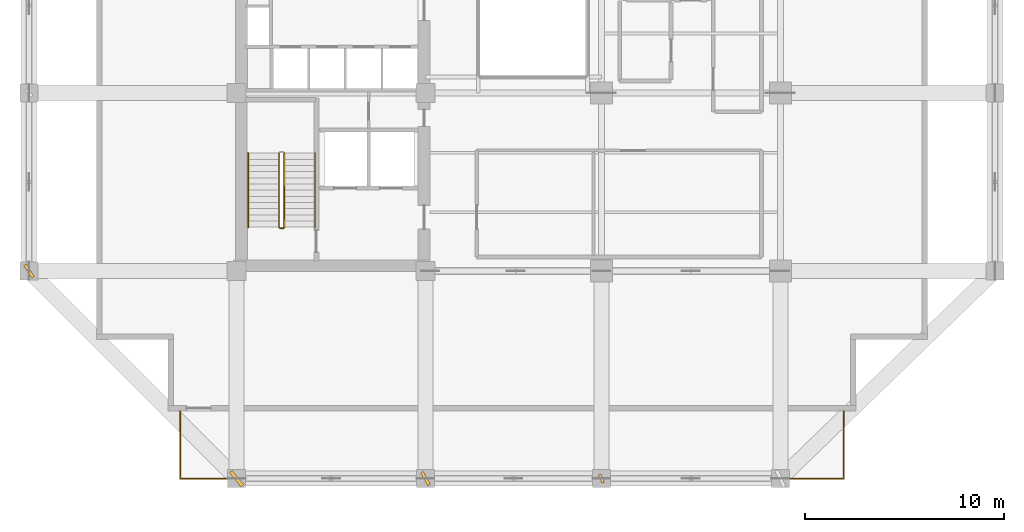
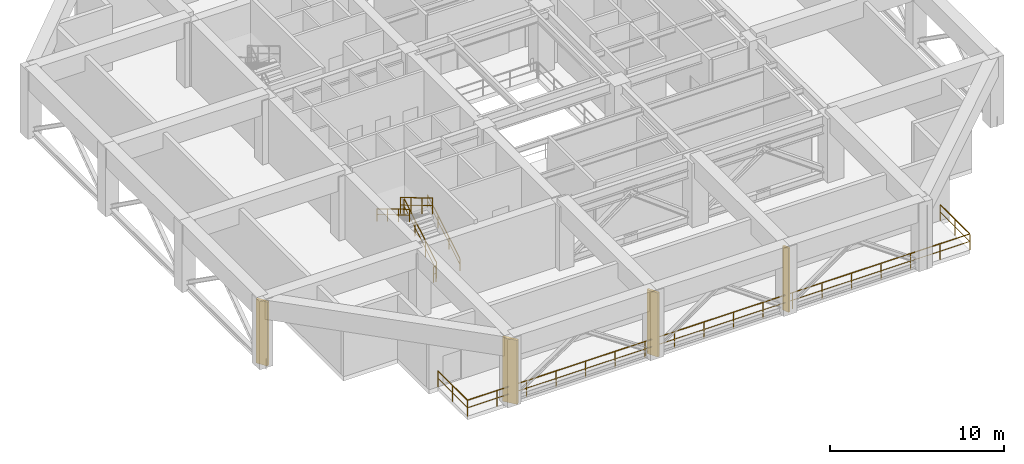
# One storey, part 7 of 10: 6 railings, 4 shading devices.
"""IFC4 building model written with IfcOpenShell, lengths in metres."""

from ifc_helpers import new_model, si_unit, direction, frame, origin, origin_2d, place, context, subcontext, project, spatial, rectangle, extrude, material, type_object, element, save


model = new_model("IFC4")

# Units and contexts
model_context = context("Model", 3, precision=1e-05, world=origin(), true_north=direction((0.0, 1.0)))
body_context = subcontext(model_context, "Body", "Model", "MODEL_VIEW")
ifc_project = project(units=[si_unit("LENGTHUNIT", "METRE"), si_unit("AREAUNIT", "SQUARE_METRE"), si_unit("VOLUMEUNIT", "CUBIC_METRE"), si_unit("PLANEANGLEUNIT", "RADIAN"), si_unit("MASSUNIT", "GRAM", prefix="KILO")], contexts=[model_context])

# Site, building, storey
site_placement = place(None, origin())
site = spatial("IfcSite", under=ifc_project, at=site_placement, CompositionType="ELEMENT")
building_placement = place(site_placement, origin())
building = spatial("IfcBuilding", under=site, at=building_placement, Name="Kundavana Baori Tower", CompositionType="ELEMENT")
storey_placement = place(building_placement, frame((0.0, 0.0, 94.0)))
storey = spatial("IfcBuildingStorey", under=building, at=storey_placement, Name="L22", CompositionType="ELEMENT", Elevation=94.0)

# Railings
ifc_material_1 = material(Name="Architectural Patinated Bronze Metalwork")
railing_type_1 = type_object("IfcRailingType", Name="RL-BAL-1150", PredefinedType="BALUSTRADE", material=ifc_material_1)
railing_1_placement = place(storey_placement, frame((46.0, 8.199951171875, 0.0)))
element("IfcRailing", 1, at=railing_1_placement, inside=storey, type_object=railing_type_1, Name="L22 Sky Terrace Guard Balustrade S", PredefinedType="BALUSTRADE", context=body_context, shape_type="SweptSolid", body=[
    extrude(rectangle(XDim=0.048095703125, YDim=0.048095703125, at=origin_2d()), frame((0.0, 0.0, 1.1259765625), z_axis=(0.0, -1.0, 0.0), x_axis=(1.0, 0.0, 0.0)), (0.0, 0.0, 1.0), 3.39990234375),
    extrude(rectangle(XDim=0.03125, YDim=0.03125, at=origin_2d()), frame((0.0, 0.0, 0.597900390625), z_axis=(0.0, -1.0, 0.0), x_axis=(1.0, 0.0, 0.0)), (0.0, 0.0, 1.0), 3.39990234375),
    extrude(rectangle(XDim=0.048095703125, YDim=0.048095703125, at=origin_2d()), frame((0.0, -3.39990234375, 1.1259765625), z_axis=(-1.0, 0.0, 0.0), x_axis=(0.0, -1.0, 0.0)), (0.0, 0.0, 1.0), 33.39990234375),
    extrude(rectangle(XDim=0.03125, YDim=0.03125, at=origin_2d()), frame((0.0, -3.39990234375, 0.597900390625), z_axis=(-1.0, 0.0, 0.0), x_axis=(0.0, -1.0, 0.0)), (0.0, 0.0, 1.0), 33.39990234375),
    extrude(rectangle(XDim=0.048095703125, YDim=0.048095703125, at=origin_2d()), frame((-33.39990234375, -3.39990234375, 1.1259765625), z_axis=(0.0, 1.0, 0.0), x_axis=(-1.0, 0.0, 0.0)), (0.0, 0.0, 1.0), 3.39990234375),
    extrude(rectangle(XDim=0.03125, YDim=0.03125, at=origin_2d()), frame((-33.39990234375, -3.39990234375, 0.597900390625), z_axis=(0.0, 1.0, 0.0), x_axis=(-1.0, 0.0, 0.0)), (0.0, 0.0, 1.0), 3.39990234375),
    extrude(rectangle(XDim=0.0419921875, YDim=0.0419921875, at=origin_2d()), origin(), (0.0, 0.0, 1.0), 1.101806640625),
    extrude(rectangle(XDim=0.0419921875, YDim=0.0419921875, at=origin_2d()), frame((0.0, -1.699951171875, 0.0)), (0.0, 0.0, 1.0), 1.101806640625),
    extrude(rectangle(XDim=0.0419921875, YDim=0.0419921875, at=origin_2d()), frame((0.0, -3.39990234375, 0.0)), (0.0, 0.0, 1.0), 1.101806640625),
    extrude(rectangle(XDim=0.0419921875, YDim=0.0419921875, at=origin_2d()), frame((-1.964599609375, -3.39990234375, 0.0)), (0.0, 0.0, 1.0), 1.101806640625),
    extrude(rectangle(XDim=0.0419921875, YDim=0.0419921875, at=origin_2d()), frame((-3.929443359375, -3.39990234375, 0.0)), (0.0, 0.0, 1.0), 1.101806640625),
    extrude(rectangle(XDim=0.0419921875, YDim=0.0419921875, at=origin_2d()), frame((-5.89404296875, -3.39990234375, 0.0)), (0.0, 0.0, 1.0), 1.101806640625),
    extrude(rectangle(XDim=0.0419921875, YDim=0.0419921875, at=origin_2d()), frame((-7.85888671875, -3.39990234375, 0.0)), (0.0, 0.0, 1.0), 1.101806640625),
    extrude(rectangle(XDim=0.0419921875, YDim=0.0419921875, at=origin_2d()), frame((-9.823486328125, -3.39990234375, 0.0)), (0.0, 0.0, 1.0), 1.101806640625),
    extrude(rectangle(XDim=0.0419921875, YDim=0.0419921875, at=origin_2d()), frame((-11.7880859375, -3.39990234375, 0.0)), (0.0, 0.0, 1.0), 1.101806640625),
    extrude(rectangle(XDim=0.0419921875, YDim=0.0419921875, at=origin_2d()), frame((-13.7529296875, -3.39990234375, 0.0)), (0.0, 0.0, 1.0), 1.101806640625),
    extrude(rectangle(XDim=0.0419921875, YDim=0.0419921875, at=origin_2d()), frame((-15.717529296875, -3.39990234375, 0.0)), (0.0, 0.0, 1.0), 1.101806640625),
    extrude(rectangle(XDim=0.0419921875, YDim=0.0419921875, at=origin_2d()), frame((-17.682373046875, -3.39990234375, 0.0)), (0.0, 0.0, 1.0), 1.101806640625),
    extrude(rectangle(XDim=0.0419921875, YDim=0.0419921875, at=origin_2d()), frame((-19.64697265625, -3.39990234375, 0.0)), (0.0, 0.0, 1.0), 1.101806640625),
    extrude(rectangle(XDim=0.0419921875, YDim=0.0419921875, at=origin_2d()), frame((-21.61181640625, -3.39990234375, 0.0)), (0.0, 0.0, 1.0), 1.101806640625),
    extrude(rectangle(XDim=0.0419921875, YDim=0.0419921875, at=origin_2d()), frame((-23.576416015625, -3.39990234375, 0.0)), (0.0, 0.0, 1.0), 1.101806640625),
    extrude(rectangle(XDim=0.0419921875, YDim=0.0419921875, at=origin_2d()), frame((-25.541015625, -3.39990234375, 0.0)), (0.0, 0.0, 1.0), 1.101806640625),
    extrude(rectangle(XDim=0.0419921875, YDim=0.0419921875, at=origin_2d()), frame((-27.505859375, -3.39990234375, 0.0)), (0.0, 0.0, 1.0), 1.101806640625),
    extrude(rectangle(XDim=0.0419921875, YDim=0.0419921875, at=origin_2d()), frame((-29.470458984375, -3.39990234375, 0.0)), (0.0, 0.0, 1.0), 1.101806640625),
    extrude(rectangle(XDim=0.0419921875, YDim=0.0419921875, at=origin_2d()), frame((-31.435302734375, -3.39990234375, 0.0)), (0.0, 0.0, 1.0), 1.101806640625),
    extrude(rectangle(XDim=0.0419921875, YDim=0.0419921875, at=origin_2d()), frame((-33.39990234375, -3.39990234375, 0.0)), (0.0, 0.0, 1.0), 1.101806640625),
    extrude(rectangle(XDim=0.0419921875, YDim=0.0419921875, at=origin_2d()), frame((-33.39990234375, -1.699951171875, 0.0)), (0.0, 0.0, 1.0), 1.101806640625),
    extrude(rectangle(XDim=0.0419921875, YDim=0.0419921875, at=origin_2d()), frame((-33.39990234375, 0.0, 0.0)), (0.0, 0.0, 1.0), 1.101806640625),
])
ifc_material_2 = material(Name="Architectural Patinated Bronze Metalwork")
railing_type_2 = type_object("IfcRailingType", Name="RL-GRD-1150", PredefinedType="GUARDRAIL", material=ifc_material_2)
railing_2_placement = place(storey_placement, frame((17.840087890625, 17.449951171875, 0.1845703125)))
element("IfcRailing", 2, at=railing_2_placement, inside=storey, type_object=railing_type_2, Name="L22 ST1 stair guard 1", PredefinedType="GUARDRAIL", context=body_context, shape_type="SweptSolid", body=[
    extrude(rectangle(XDim=0.048095703125, YDim=0.048095703125, at=origin_2d()), frame((0.0, 0.0, 1.1259765625), z_axis=(0.0, 0.859184880589, 0.511665262615), x_axis=(-1.0, 0.0, 0.0)), (0.0, 0.0, 1.0), 4.32958984375),
    extrude(rectangle(XDim=0.03125, YDim=0.03125, at=origin_2d()), frame((0.0, 0.0, 0.597900390625), z_axis=(0.0, 0.859184880589, 0.511665262615), x_axis=(-1.0, 0.0, 0.0)), (0.0, 0.0, 1.0), 4.32958984375),
    extrude(rectangle(XDim=0.0419921875, YDim=0.0419921875, at=origin_2d()), origin(), (0.0, 0.0, 1.0), 1.101806640625),
    extrude(rectangle(XDim=0.0419921875, YDim=0.0419921875, at=origin_2d()), frame((0.0, 1.239990234375, 0.738525390625)), (0.0, 0.0, 1.0), 1.101806640625),
    extrude(rectangle(XDim=0.0419921875, YDim=0.0419921875, at=origin_2d()), frame((0.0, 2.47998046875, 1.476806640625)), (0.0, 0.0, 1.0), 1.101806640625),
    extrude(rectangle(XDim=0.0419921875, YDim=0.0419921875, at=origin_2d()), frame((0.0, 3.719970703125, 2.21533203125)), (0.0, 0.0, 1.0), 1.101806640625),
])
railing_3_placement = place(storey_placement, frame((17.580078125, 21.169921875, 2.584716796875)))
element("IfcRailing", 3, at=railing_3_placement, inside=storey, type_object=railing_type_2, Name="L22 ST1 stair guard 3", PredefinedType="GUARDRAIL", context=body_context, shape_type="SweptSolid", body=[
    extrude(rectangle(XDim=0.048095703125, YDim=0.048095703125, at=origin_2d()), frame((0.0, 0.0, 1.1259765625), z_axis=(0.0, -0.859184880589, 0.511665262615), x_axis=(1.0, 0.0, 0.0)), (0.0, 0.0, 1.0), 4.32958984375),
    extrude(rectangle(XDim=0.03125, YDim=0.03125, at=origin_2d()), frame((0.0, 0.0, 0.597900390625), z_axis=(0.0, -0.859184880589, 0.511665262615), x_axis=(1.0, 0.0, 0.0)), (0.0, 0.0, 1.0), 4.32958984375),
    extrude(rectangle(XDim=0.0419921875, YDim=0.0419921875, at=origin_2d()), origin(), (0.0, 0.0, 1.0), 1.101806640625),
    extrude(rectangle(XDim=0.0419921875, YDim=0.0419921875, at=origin_2d()), frame((0.0, -1.239990234375, 0.738525390625)), (0.0, 0.0, 1.0), 1.101806640625),
    extrude(rectangle(XDim=0.0419921875, YDim=0.0419921875, at=origin_2d()), frame((0.0, -2.47998046875, 1.476806640625)), (0.0, 0.0, 1.0), 1.101806640625),
    extrude(rectangle(XDim=0.0419921875, YDim=0.0419921875, at=origin_2d()), frame((0.0, -3.719970703125, 2.21533203125)), (0.0, 0.0, 1.0), 1.101806640625),
])
railing_4_placement = place(storey_placement, frame((17.7900390625, 17.39990234375, 0.0)))
element("IfcRailing", 4, at=railing_4_placement, inside=storey, type_object=railing_type_2, Name="L22 ST1 stair guard 4", PredefinedType="GUARDRAIL", context=body_context, shape_type="SweptSolid", body=[
    extrude(rectangle(XDim=0.048095703125, YDim=0.048095703125, at=origin_2d()), frame((0.0, 0.0, 1.1259765625), z_axis=(-1.0, 0.0, 0.0), x_axis=(0.0, -1.0, 0.0)), (0.0, 0.0, 1.0), 0.16015625),
    extrude(rectangle(XDim=0.03125, YDim=0.03125, at=origin_2d()), frame((0.0, 0.0, 0.597900390625), z_axis=(-1.0, 0.0, 0.0), x_axis=(0.0, -1.0, 0.0)), (0.0, 0.0, 1.0), 0.16015625),
    extrude(rectangle(XDim=0.0419921875, YDim=0.0419921875, at=origin_2d()), origin(), (0.0, 0.0, 1.0), 1.101806640625),
    extrude(rectangle(XDim=0.0419921875, YDim=0.0419921875, at=origin_2d()), frame((-0.16015625, 0.0, 0.0)), (0.0, 0.0, 1.0), 1.101806640625),
])
ifc_material_3 = material(Name="Architectural Patinated Bronze Metalwork")
railing_type_3 = type_object("IfcRailingType", Name="RL-HND-920", PredefinedType="HANDRAIL", material=ifc_material_3)
railing_5_placement = place(storey_placement, frame((19.389892578125, 17.449951171875, 0.1845703125)))
element("IfcRailing", 5, at=railing_5_placement, inside=storey, type_object=railing_type_3, Name="L22 ST1 stair handrail 1", PredefinedType="HANDRAIL", context=body_context, shape_type="SweptSolid", body=[
    extrude(rectangle(XDim=0.048095703125, YDim=0.048095703125, at=origin_2d()), frame((0.0, 0.0, 0.8759765625), z_axis=(0.0, 0.859184880589, 0.511665262615), x_axis=(-1.0, 0.0, 0.0)), (0.0, 0.0, 1.0), 4.32958984375),
    extrude(rectangle(XDim=0.03125, YDim=0.03125, at=origin_2d()), frame((0.0, 0.0, 0.468017578125), z_axis=(0.0, 0.859184880589, 0.511665262615), x_axis=(-1.0, 0.0, 0.0)), (0.0, 0.0, 1.0), 4.32958984375),
    extrude(rectangle(XDim=0.0419921875, YDim=0.0419921875, at=origin_2d()), origin(), (0.0, 0.0, 1.0), 0.851806640625),
    extrude(rectangle(XDim=0.0419921875, YDim=0.0419921875, at=origin_2d()), frame((0.0, 1.239990234375, 0.738525390625)), (0.0, 0.0, 1.0), 0.851806640625),
    extrude(rectangle(XDim=0.0419921875, YDim=0.0419921875, at=origin_2d()), frame((0.0, 2.47998046875, 1.476806640625)), (0.0, 0.0, 1.0), 0.851806640625),
    extrude(rectangle(XDim=0.0419921875, YDim=0.0419921875, at=origin_2d()), frame((0.0, 3.719970703125, 2.21533203125)), (0.0, 0.0, 1.0), 0.851806640625),
])
railing_6_placement = place(storey_placement, frame((16.030029296875, 21.169921875, 2.584716796875)))
element("IfcRailing", 6, at=railing_6_placement, inside=storey, type_object=railing_type_3, Name="L22 ST1 stair handrail 2", PredefinedType="HANDRAIL", context=body_context, shape_type="SweptSolid", body=[
    extrude(rectangle(XDim=0.048095703125, YDim=0.048095703125, at=origin_2d()), frame((0.0, 0.0, 0.8759765625), z_axis=(0.0, -0.859184880589, 0.511665262615), x_axis=(1.0, 0.0, 0.0)), (0.0, 0.0, 1.0), 4.32958984375),
    extrude(rectangle(XDim=0.03125, YDim=0.03125, at=origin_2d()), frame((0.0, 0.0, 0.468017578125), z_axis=(0.0, -0.859184880589, 0.511665262615), x_axis=(1.0, 0.0, 0.0)), (0.0, 0.0, 1.0), 4.32958984375),
    extrude(rectangle(XDim=0.0419921875, YDim=0.0419921875, at=origin_2d()), origin(), (0.0, 0.0, 1.0), 0.851806640625),
    extrude(rectangle(XDim=0.0419921875, YDim=0.0419921875, at=origin_2d()), frame((0.0, -1.239990234375, 0.738525390625)), (0.0, 0.0, 1.0), 0.851806640625),
    extrude(rectangle(XDim=0.0419921875, YDim=0.0419921875, at=origin_2d()), frame((0.0, -2.47998046875, 1.476806640625)), (0.0, 0.0, 1.0), 0.851806640625),
    extrude(rectangle(XDim=0.0419921875, YDim=0.0419921875, at=origin_2d()), frame((0.0, -3.719970703125, 2.21533203125)), (0.0, 0.0, 1.0), 0.851806640625),
])

# Shading devices
ifc_material_4 = material(Name="Red-Buff Dholpur Sandstone Cladding on Concrete C40/50", Category="masonry")
shading_device_type_1 = type_object("IfcShadingDeviceType", Name="SHD-FIN-750", PredefinedType="JALOUSIE", material=ifc_material_4)
for number, where, z_axis, x_axis, name in (
    (7, (24.949951171875, 4.800048828125, 0.0), (0.0, 0.0, 1.0), (0.872240046001, 0.489078012338, 0.0), "L22 Sweeping Dholpur Sandstone Facade Fin 2"),
    (8, (5.0, 15.25, 0.0), (0.0, 0.0, 1.0), (0.835519779135, 0.54946037043, 0.0), "L22 Sweeping Dholpur Sandstone Facade Fin 5"),
):
    element("IfcShadingDevice", number, at=place(storey_placement, frame(where, z_axis=z_axis, x_axis=x_axis)), inside=storey, type_object=shading_device_type_1, Name=name, PredefinedType="JALOUSIE", context=body_context, shape_type="SweptSolid", body=[
        extrude(rectangle(XDim=0.159912109375, YDim=0.75, at=origin_2d()), origin(), (0.0, 0.0, 1.0), 4.5),
    ])
ifc_material_5 = material(Name="Red-Buff Dholpur Sandstone Cladding on Concrete C40/50", Category="masonry")
shading_device_type_2 = type_object("IfcShadingDeviceType", Name="SHD-FIN-920", PredefinedType="JALOUSIE", material=ifc_material_5)
shading_device_1_placement = place(storey_placement, frame((15.449951171875, 4.800048828125, 0.0), z_axis=(0.0, 0.0, 1.0), x_axis=(0.781193702712, 0.624288714333, 0.0)))
element("IfcShadingDevice", 9, at=shading_device_1_placement, inside=storey, type_object=shading_device_type_2, Name="L22 Sweeping Dholpur Sandstone Facade Fin 1", PredefinedType="JALOUSIE", context=body_context, shape_type="SweptSolid", body=[
    extrude(rectangle(XDim=0.179931640625, YDim=0.919921875, at=origin_2d()), origin(), (0.0, 0.0, 1.0), 4.5),
])
ifc_material_6 = material(Name="Architectural Patinated Bronze Metalwork")
shading_device_type_3 = type_object("IfcShadingDeviceType", Name="SHD-LOUV-450", PredefinedType="SHUTTER", material=ifc_material_6)
shading_device_2_placement = place(storey_placement, frame((33.800048828125, 4.800048828125, 0.0), z_axis=(0.0, 0.0, 1.0), x_axis=(0.924346378904, 0.381554415263, 0.0)))
element("IfcShadingDevice", 10, at=shading_device_2_placement, inside=storey, type_object=shading_device_type_3, Name="L22 Sweeping Dholpur Sandstone Facade Fin 3", PredefinedType="SHUTTER", context=body_context, shape_type="SweptSolid", body=[
    extrude(rectangle(XDim=0.139892578125, YDim=0.449951171875, at=origin_2d()), origin(), (0.0, 0.0, 1.0), 4.5),
])

save(model, "model.ifc")
